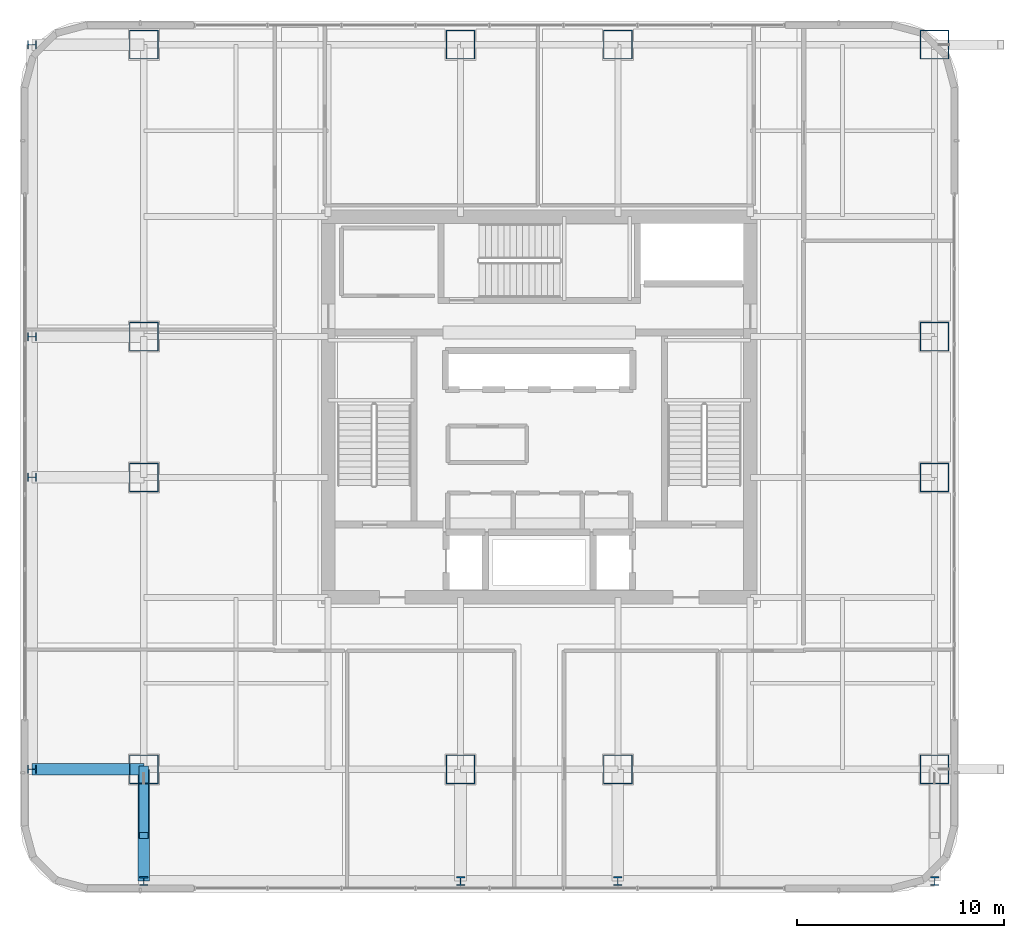
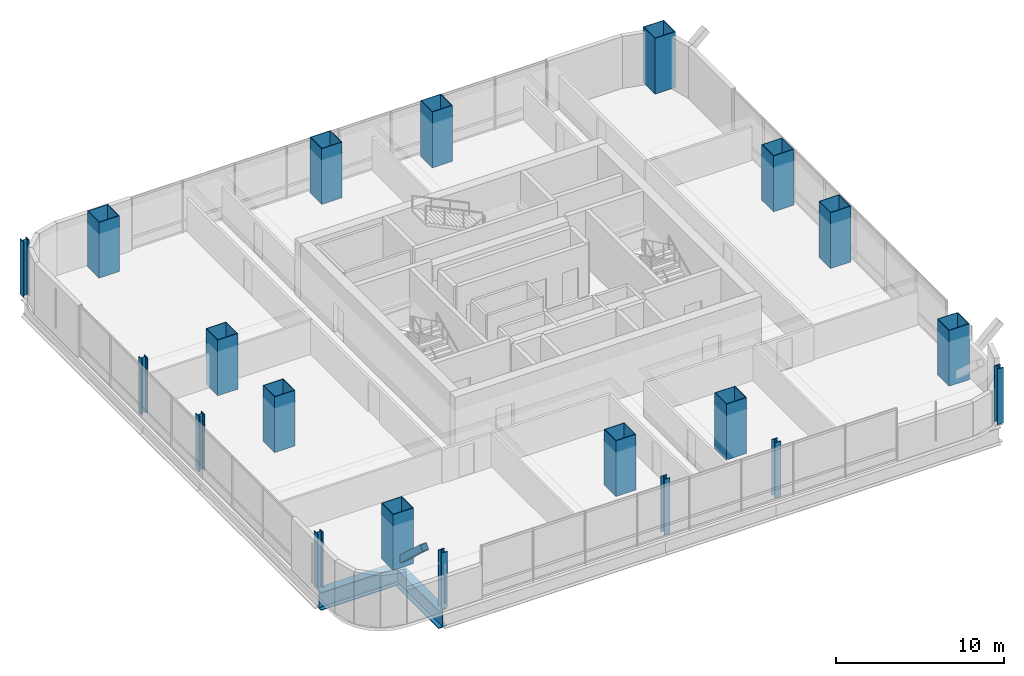
# One storey, part 1 of 46: 20 columns, 2 beams, 1 member.
"""IFC4 building model written with IfcOpenShell, lengths in metres."""

from ifc_helpers import new_model, si_unit, direction, frame, origin, origin_2d, place, context, subcontext, project, spatial, hollow_rectangle, i_section, extrude, material, material_profile, profile_set, type_object, element, save


model = new_model("IFC4")

# Units and contexts
model_context = context("Model", 3, precision=1e-05, world=origin(), true_north=direction((0.0, 1.0)))
body_context = subcontext(model_context, "Body", "Model", "MODEL_VIEW")
ifc_project = project(units=[si_unit("LENGTHUNIT", "METRE"), si_unit("AREAUNIT", "SQUARE_METRE"), si_unit("VOLUMEUNIT", "CUBIC_METRE"), si_unit("PLANEANGLEUNIT", "RADIAN"), si_unit("MASSUNIT", "GRAM", prefix="KILO")], contexts=[model_context])

# Site, building, storey
site_placement = place(None, origin())
site = spatial("IfcSite", under=ifc_project, at=site_placement, CompositionType="ELEMENT")
building_placement = place(site_placement, origin())
building = spatial("IfcBuilding", under=site, at=building_placement, Name="Punatoya Terracotta Tower", CompositionType="ELEMENT")
storey_placement = place(building_placement, frame((0.0, 0.0, 200.550048828125)))
storey = spatial("IfcBuildingStorey", under=building, at=storey_placement, Name="L47", CompositionType="ELEMENT", Elevation=200.550048828125)

# Columns
ifc_material = material(Name="Steel S460", Category="steel")
ifc_material_profile_1 = material_profile(ifc_material, i_section(OverallWidth=0.408935546875, OverallDepth=0.425048828125, WebThickness=0.031982421875, FlangeThickness=0.052001953125, FilletRadius=0.01806640625, at=origin_2d()))
ifc_profile_set_1 = profile_set([ifc_material_profile_1], Name="Steel S460")
column_type_1 = type_object("IfcColumnType", Name="COL-EX-M2", PredefinedType="COLUMN", material=ifc_profile_set_1)
for number, where, z_axis, x_axis, name in (
    (1, (-19.10009765625, -22.89990234375, 0.0), (0.0, 0.0, 1.0), (1.0, 0.0, 0.0), "L47 Exoskeleton Perimeter Column S1"),
    (2, (-3.800048828125, -22.89990234375, 0.0), (0.0, 0.0, 1.0), (1.0, 0.0, 0.0), "L47 Exoskeleton Perimeter Column S2"),
    (3, (3.800048828125, -22.89990234375, 0.0), (0.0, 0.0, 1.0), (1.0, 0.0, 0.0), "L47 Exoskeleton Perimeter Column S3"),
    (4, (19.10009765625, -22.89990234375, 0.0), (0.0, 0.0, 1.0), (1.0, 0.0, 0.0), "L47 Exoskeleton Perimeter Column S4"),
    (5, (-24.5, -17.5, 0.0), (0.0, 0.0, 1.0), (0.0, 1.0, 0.0), "L47 Exoskeleton Perimeter Column W1"),
    (6, (-24.5, -3.39990234375, 0.0), (0.0, 0.0, 1.0), (0.0, 1.0, 0.0), "L47 Exoskeleton Perimeter Column W2"),
    (7, (-24.5, 3.39990234375, 0.0), (0.0, 0.0, 1.0), (0.0, 1.0, 0.0), "L47 Exoskeleton Perimeter Column W3"),
    (8, (-24.5, 17.5, 0.0), (0.0, 0.0, 1.0), (0.0, 1.0, 0.0), "L47 Exoskeleton Perimeter Column W4"),
):
    element("IfcColumn", number, at=place(storey_placement, frame(where, z_axis=z_axis, x_axis=x_axis)), inside=storey, type_object=column_type_1, Name=name, PredefinedType="COLUMN", context=body_context, shape_type="SweptSolid", body=[
        extrude(i_section(OverallWidth=0.408935546875, OverallDepth=0.425048828125, WebThickness=0.031982421875, FlangeThickness=0.052001953125, FilletRadius=0.01806640625, at=origin_2d()), origin(), (0.0, 0.0, 1.0), 4.0478515625),
    ])
ifc_material_profile_2 = material_profile(ifc_material, hollow_rectangle(XDim=1.39990234375, YDim=1.39990234375, WallThickness=0.0419921875, at=origin_2d()))
ifc_profile_set_2 = profile_set([ifc_material_profile_2], Name="Steel S460")
column_type_2 = type_object("IfcColumnType", Name="COL-MC-Z2", PredefinedType="COLUMN", material=ifc_profile_set_2)
for number, where, z_axis, x_axis, name in (
    (9, (-19.10009765625, -17.5, 0.0), (0.0, 0.0, 1.0), (1.0, 0.0, 0.0), "L47 Composite Mega-Column MC-01 (3-B)"),
    (10, (-3.800048828125, -17.5, 0.0), (0.0, 0.0, 1.0), (1.0, 0.0, 0.0), "L47 Composite Mega-Column MC-02 (5-B)"),
    (11, (3.800048828125, -17.5, 0.0), (0.0, 0.0, 1.0), (1.0, 0.0, 0.0), "L47 Composite Mega-Column MC-03 (7-B)"),
    (12, (19.10009765625, -17.5, 0.0), (0.0, 0.0, 1.0), (1.0, 0.0, 0.0), "L47 Composite Mega-Column MC-04 (9-B)"),
    (13, (19.10009765625, -3.39990234375, 0.0), (0.0, 0.0, 1.0), (1.0, 0.0, 0.0), "L47 Composite Mega-Column MC-05 (9-D)"),
    (14, (19.10009765625, 3.39990234375, 0.0), (0.0, 0.0, 1.0), (1.0, 0.0, 0.0), "L47 Composite Mega-Column MC-06 (9-E)"),
    (15, (19.10009765625, 17.5, 0.0), (0.0, 0.0, 1.0), (1.0, 0.0, 0.0), "L47 Composite Mega-Column MC-07 (9-G)"),
    (16, (3.800048828125, 17.5, 0.0), (0.0, 0.0, 1.0), (1.0, 0.0, 0.0), "L47 Composite Mega-Column MC-08 (7-G)"),
    (17, (-3.800048828125, 17.5, 0.0), (0.0, 0.0, 1.0), (1.0, 0.0, 0.0), "L47 Composite Mega-Column MC-09 (5-G)"),
    (18, (-19.10009765625, 17.5, 0.0), (0.0, 0.0, 1.0), (1.0, 0.0, 0.0), "L47 Composite Mega-Column MC-10 (3-G)"),
    (19, (-19.10009765625, 3.39990234375, 0.0), (0.0, 0.0, 1.0), (1.0, 0.0, 0.0), "L47 Composite Mega-Column MC-11 (3-E)"),
    (20, (-19.10009765625, -3.39990234375, 0.0), (0.0, 0.0, 1.0), (1.0, 0.0, 0.0), "L47 Composite Mega-Column MC-12 (3-D)"),
):
    element("IfcColumn", number, at=place(storey_placement, frame(where, z_axis=z_axis, x_axis=x_axis)), inside=storey, type_object=column_type_2, Name=name, PredefinedType="COLUMN", context=body_context, shape_type="SweptSolid", body=[
        extrude(hollow_rectangle(XDim=1.39990234375, YDim=1.39990234375, WallThickness=0.0419921875, at=origin_2d()), origin(), (0.0, 0.0, 1.0), 4.050048828125),
    ])

# Beams
ifc_material_profile_3 = material_profile(ifc_material, i_section(OverallWidth=0.56005859375, OverallDepth=1.320068359375, WebThickness=0.035888671875, FlangeThickness=0.054931640625, FilletRadius=0.01806640625, at=origin_2d()))
ifc_profile_set_3 = profile_set([ifc_material_profile_3], Name="Steel S460")
beam_type = type_object("IfcBeamType", Name="BM-TG-BLK", PredefinedType="BEAM", material=ifc_profile_set_3)
for number, where, z_axis, x_axis, name in (
    (21, (-24.5, -17.5, -0.880126953125), (1.0, 0.0, 0.0), (0.0, 1.0, 0.0), "BM-L47-CANT-W1"),
    (22, (-19.10009765625, -22.89990234375, -0.880126953125), (0.0, 1.0, 0.0), (-1.0, 0.0, 0.0), "BM-L47-CANT-S1"),
):
    element("IfcBeam", number, at=place(storey_placement, frame(where, z_axis=z_axis, x_axis=x_axis)), inside=storey, type_object=beam_type, Name=name, PredefinedType="BEAM", context=body_context, shape_type="SweptSolid", body=[
        extrude(i_section(OverallWidth=0.56005859375, OverallDepth=1.320068359375, WebThickness=0.035888671875, FlangeThickness=0.054931640625, FilletRadius=0.01806640625, at=origin_2d()), origin(), (0.0, 0.0, 1.0), 5.39990234375),
    ])

# Member
ifc_material_profile_4 = material_profile(ifc_material, hollow_rectangle(XDim=0.449951171875, YDim=0.449951171875, WallThickness=0.02490234375, at=origin_2d()))
ifc_profile_set_4 = profile_set([ifc_material_profile_4], Name="Steel S460")
member_type = type_object("IfcMemberType", Name="MEM-STR-450", PredefinedType="STRUT", material=ifc_profile_set_4)
member_placement = place(storey_placement, frame((-19.10009765625, -17.5, 0.02001953125), z_axis=(0.0, -0.735244168043, 0.677802340922), x_axis=(1.0, 0.0, 0.0)))
element("IfcMember", 23, at=member_placement, inside=storey, type_object=member_type, Name="L48 Cantilever Raking Knee-Strut S1", PredefinedType="STRUT", context=body_context, shape_type="SweptSolid", body=[
    extrude(hollow_rectangle(XDim=0.449951171875, YDim=0.449951171875, WallThickness=0.02490234375, at=origin_2d()), origin(), (0.0, 0.0, 1.0), 4.352294921875),
])

save(model, "model.ifc")
